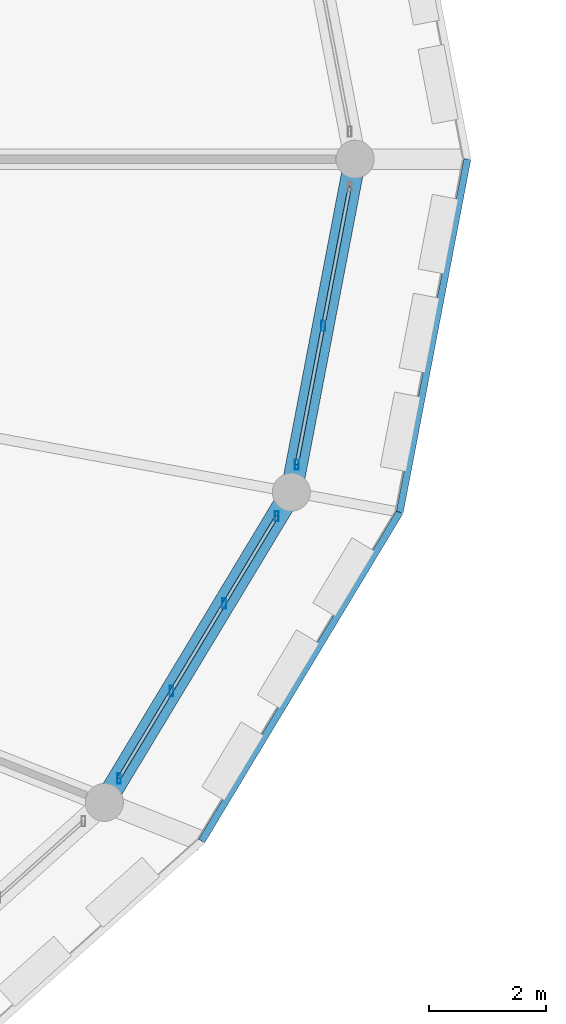
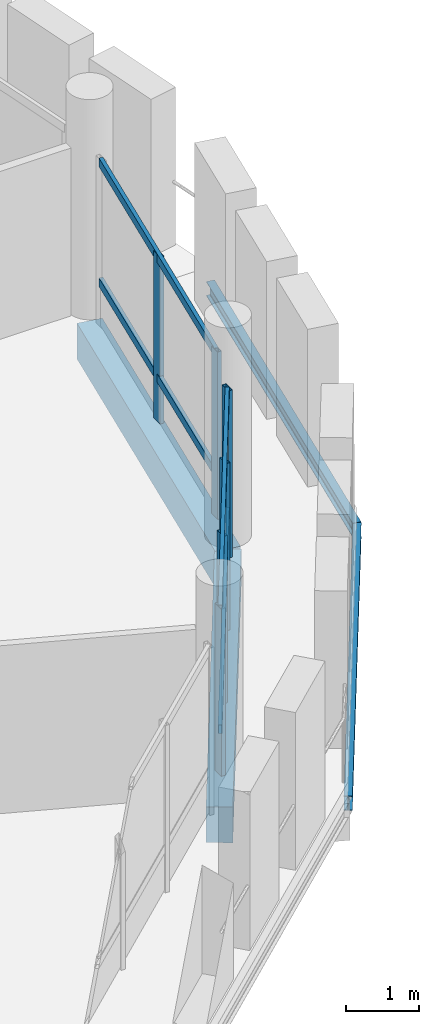
# One storey, part 36 of 84: 10 members, 4 beams, 2 elements without a shape of their own.
"""IFC4 building model written with IfcOpenShell, lengths in metres."""

from ifc_helpers import new_model, si_unit, direction, frame, origin, origin_2d, place, context, subcontext, project, spatial, rectangle, hollow_rectangle, i_section, extrude, material, material_profile, profile_set, type_object, element, aggregate, save


model = new_model("IFC4")

# Units and contexts
model_context = context("Model", 3, precision=1e-05, world=origin(), true_north=direction((0.0, 1.0)))
body_context = subcontext(model_context, "Body", "Model", "MODEL_VIEW")
ifc_project = project(units=[si_unit("LENGTHUNIT", "METRE"), si_unit("AREAUNIT", "SQUARE_METRE"), si_unit("VOLUMEUNIT", "CUBIC_METRE"), si_unit("PLANEANGLEUNIT", "RADIAN"), si_unit("MASSUNIT", "GRAM", prefix="KILO")], contexts=[model_context])

# Site, building, storey
site_placement = place(None, origin())
site = spatial("IfcSite", under=ifc_project, at=site_placement, CompositionType="ELEMENT")
building_placement = place(site_placement, origin())
building = spatial("IfcBuilding", under=site, at=building_placement, Name="Zornivar Specialist Clinic", CompositionType="ELEMENT")
storey_placement = place(building_placement, frame((0.0, 0.0, 12.300048828125)))
storey = spatial("IfcBuildingStorey", under=building, at=storey_placement, Name="L03", CompositionType="ELEMENT", Elevation=12.300048828125)

# Beams
ifc_material_1 = material(Name="Concrete C30/37", Category="concrete")
ifc_material_profile_1 = material_profile(ifc_material_1, rectangle(XDim=0.3701171875, YDim=0.60009765625, at=origin_2d()), Name="RC 370x600")
ifc_profile_set_1 = profile_set([ifc_material_profile_1], Name="Concrete C30/37")
beam_type_1 = type_object("IfcBeamType", Name="BM-RC-SPANDREL-370x600", PredefinedType="SPANDREL", material=ifc_profile_set_1)
beam_1_placement = place(storey_placement, frame((121.31298828125, 46.60009765625, -0.5400390625), z_axis=(0.516094506256, 0.856531646007, 0.0), x_axis=(-0.856531646007, 0.516094506256, 0.0)))
element("IfcBeam", 1, at=beam_1_placement, inside=storey, type_object=beam_type_1, Name="bm:V1:L03:outring:22", PredefinedType="SPANDREL", context=body_context, shape_type="SweptSolid", body=[
    extrude(rectangle(XDim=0.3701171875, YDim=0.60009765625, at=origin_2d()), origin(), (0.0, 0.0, 1.0), 6.194580078125),
])
beam_2_placement = place(storey_placement, frame((124.510009765625, 51.906005859375, -0.5400390625), z_axis=(0.188027327263, 0.982163797033, 0.0), x_axis=(-0.982163797033, 0.188027327263, 0.0)))
element("IfcBeam", 2, at=beam_2_placement, inside=storey, type_object=beam_type_1, Name="bm:V1:L03:outring:23", PredefinedType="SPANDREL", context=body_context, shape_type="SweptSolid", body=[
    extrude(rectangle(XDim=0.3701171875, YDim=0.60009765625, at=origin_2d()), origin(), (0.0, 0.0, 1.0), 5.797607421875),
])
ifc_material_2 = material(Name="Steel S355J2", Category="steel")
ifc_material_profile_2 = material_profile(ifc_material_2, i_section(OverallWidth=0.1201171875, OverallDepth=0.239990234375, WebThickness=0.006103515625, FlangeThickness=0.009765625, FilletRadius=0.014892578125, at=origin_2d()), Name="IPE 240")
ifc_profile_set_2 = profile_set([ifc_material_profile_2], Name="Steel S355J2")
beam_type_2 = type_object("IfcBeamType", Name="BM-STL-IPE240", PredefinedType="JOIST", material=ifc_profile_set_2)
beam_3_placement = place(storey_placement, frame((122.97607421875, 45.93994140625, -0.360107421875), z_axis=(0.516009675347, 0.856582754291, 0.0), x_axis=(-0.856582754291, 0.516009675347, 0.0)))
element("IfcBeam", 3, at=beam_3_placement, inside=storey, type_object=beam_type_2, Name="bm:V1:L03:balring:22", PredefinedType="JOIST", context=body_context, shape_type="SweptSolid", body=[
    extrude(i_section(OverallWidth=0.1201171875, OverallDepth=0.239990234375, WebThickness=0.006103515625, FlangeThickness=0.009765625, FilletRadius=0.014892578125, at=origin_2d()), origin(), (0.0, 0.0, 1.0), 6.565673828125),
])
beam_4_placement = place(storey_placement, frame((126.364013671875, 51.56396484375, -0.360107421875), z_axis=(0.188095914668, 0.982150664046, 0.0), x_axis=(-0.982150664046, 0.188095914668, 0.0)))
element("IfcBeam", 4, at=beam_4_placement, inside=storey, type_object=beam_type_2, Name="bm:V1:L03:balring:23", PredefinedType="JOIST", context=body_context, shape_type="SweptSolid", body=[
    extrude(i_section(OverallWidth=0.1201171875, OverallDepth=0.239990234375, WebThickness=0.006103515625, FlangeThickness=0.009765625, FilletRadius=0.014892578125, at=origin_2d()), origin(), (0.0, 0.0, 1.0), 6.145751953125),
])

# Curtain wall, members
ifc_material_3 = material(Name="Aluminium and Low-E Glass Curtain Wall", Category="aluminium")
curtain_wall_type = type_object("IfcCurtainWallType", Name="CW-DRUM-FACET", PredefinedType="NOTDEFINED", material=ifc_material_3)
curtain_wall_1_placement = place(storey_placement, origin())
curtain_wall_1 = element("IfcCurtainWall", 5, at=curtain_wall_1_placement, inside=storey, type_object=curtain_wall_type, Name="cw:V1:L03:c22", PredefinedType="NOTDEFINED")
ifc_material_4 = material(Name="Aluminium AW-6060", Category="aluminium")
ifc_material_profile_3 = material_profile(ifc_material_4, hollow_rectangle(XDim=0.06494140625, YDim=0.175048828125, WallThickness=0.00439453125, at=origin_2d()), Name="ALU 65x175x4.5")
ifc_profile_set_3 = profile_set([ifc_material_profile_3], Name="Aluminium AW-6060")
member_type_1 = type_object("IfcMemberType", Name="CWM-MUL-175", PredefinedType="MULLION", material=ifc_profile_set_3)
member_1_placement = place(storey_placement, frame((121.56103515625, 47.010986328125, 0.0), z_axis=(0.0, 0.0, 1.0), x_axis=(1.0, 0.0, 0.0)))
member_1 = element("IfcMember", 6, at=member_1_placement, type_object=member_type_1, Name="cw:V1:L03:c22:mul:0", PredefinedType="MULLION", context=body_context, shape_type="SweptSolid", body=[
    extrude(hollow_rectangle(XDim=0.06494140625, YDim=0.175048828125, WallThickness=0.00439453125, at=origin_2d()), origin(), (0.0, 0.0, 1.0), 2.81005859375),
])
member_2_placement = place(storey_placement, frame((122.4609375, 48.506103515625, 0.0), z_axis=(0.0, 0.0, 1.0), x_axis=(1.0, 0.0, 0.0)))
member_2 = element("IfcMember", 7, at=member_2_placement, type_object=member_type_1, Name="cw:V1:L03:c22:mul:1", PredefinedType="MULLION", context=body_context, shape_type="SweptSolid", body=[
    extrude(hollow_rectangle(XDim=0.06494140625, YDim=0.175048828125, WallThickness=0.00439453125, at=origin_2d()), origin(), (0.0, 0.0, 1.0), 2.81005859375),
])
member_3_placement = place(storey_placement, frame((123.362060546875, 50.0009765625, 0.0), z_axis=(0.0, 0.0, 1.0), x_axis=(1.0, 0.0, 0.0)))
member_3 = element("IfcMember", 8, at=member_3_placement, type_object=member_type_1, Name="cw:V1:L03:c22:mul:2", PredefinedType="MULLION", context=body_context, shape_type="SweptSolid", body=[
    extrude(hollow_rectangle(XDim=0.06494140625, YDim=0.175048828125, WallThickness=0.00439453125, at=origin_2d()), origin(), (0.0, 0.0, 1.0), 2.81005859375),
])
member_4_placement = place(storey_placement, frame((124.261962890625, 51.4951171875, 0.0), z_axis=(0.0, 0.0, 1.0), x_axis=(1.0, 0.0, 0.0)))
member_4 = element("IfcMember", 9, at=member_4_placement, type_object=member_type_1, Name="cw:V1:L03:c22:mul:3", PredefinedType="MULLION", context=body_context, shape_type="SweptSolid", body=[
    extrude(hollow_rectangle(XDim=0.06494140625, YDim=0.175048828125, WallThickness=0.00439453125, at=origin_2d()), origin(), (0.0, 0.0, 1.0), 2.81005859375),
])

curtain_wall_2_placement = place(storey_placement, origin())
curtain_wall_2 = element("IfcCurtainWall", 10, at=curtain_wall_2_placement, inside=storey, type_object=curtain_wall_type, Name="cw:V1:L03:c23", PredefinedType="NOTDEFINED")
member_5_placement = place(storey_placement, frame((124.60107421875, 52.376953125, 0.0), z_axis=(0.0, 0.0, 1.0), x_axis=(1.0, 0.0, 0.0)))
member_5 = element("IfcMember", 11, at=member_5_placement, type_object=member_type_1, Name="cw:V1:L03:c23:mul:0", PredefinedType="MULLION", context=body_context, shape_type="SweptSolid", body=[
    extrude(hollow_rectangle(XDim=0.06494140625, YDim=0.175048828125, WallThickness=0.00439453125, at=origin_2d()), origin(), (0.0, 0.0, 1.0), 2.81005859375),
])
member_6_placement = place(storey_placement, frame((125.054931640625, 54.7529296875, 0.0), z_axis=(0.0, 0.0, 1.0), x_axis=(1.0, 0.0, 0.0)))
member_6 = element("IfcMember", 12, at=member_6_placement, type_object=member_type_1, Name="cw:V1:L03:c23:mul:1", PredefinedType="MULLION", context=body_context, shape_type="SweptSolid", body=[
    extrude(hollow_rectangle(XDim=0.06494140625, YDim=0.175048828125, WallThickness=0.00439453125, at=origin_2d()), origin(), (0.0, 0.0, 1.0), 2.81005859375),
])

# Member
ifc_material_5 = material(Name="Aluminium AW-6060", Category="aluminium")
ifc_material_profile_4 = material_profile(ifc_material_5, hollow_rectangle(XDim=0.06005859375, YDim=0.14501953125, WallThickness=0.00390625, at=origin_2d()), Name="ALU 60x145x4")
ifc_profile_set_4 = profile_set([ifc_material_profile_4], Name="Aluminium AW-6060")
member_type_2 = type_object("IfcMemberType", Name="CWM-TRN-145", PredefinedType="USERDEFINED", material=ifc_profile_set_4)
member_7_placement = place(storey_placement, frame((121.56103515625, 47.010986328125, 0.73095703125), z_axis=(0.515962745671, 0.856611023207, 0.0), x_axis=(-0.856611023207, 0.515962745671, 0.0)))
member_7 = element("IfcMember", 13, at=member_7_placement, type_object=member_type_2, Name="cw:V1:L03:c22:trn:0", ObjectType="TRANSOM", PredefinedType="USERDEFINED", context=body_context, shape_type="SweptSolid", body=[
    extrude(hollow_rectangle(XDim=0.06005859375, YDim=0.14501953125, WallThickness=0.00390625, at=origin_2d()), origin(), (0.0, 0.0, 1.0), 5.234619140625),
])

member_8_placement = place(storey_placement, frame((121.56103515625, 47.010986328125, 2.744873046875), z_axis=(0.515962745671, 0.856611023207, 0.0), x_axis=(-0.856611023207, 0.515962745671, 0.0)))
member_8 = element("IfcMember", 14, at=member_8_placement, type_object=member_type_2, Name="cw:V1:L03:c22:trn:1", ObjectType="TRANSOM", PredefinedType="USERDEFINED", context=body_context, shape_type="SweptSolid", body=[
    extrude(hollow_rectangle(XDim=0.06005859375, YDim=0.14501953125, WallThickness=0.00390625, at=origin_2d()), origin(), (0.0, 0.0, 1.0), 5.234619140625),
])

aggregate(curtain_wall_1, [member_1, member_2, member_3, member_4, member_7, member_8])

member_9_placement = place(storey_placement, frame((124.60107421875, 52.376953125, 0.73095703125), z_axis=(0.18767557324, 0.982231072207, 0.0), x_axis=(-0.982231072207, 0.18767557324, 0.0)))
member_9 = element("IfcMember", 15, at=member_9_placement, type_object=member_type_2, Name="cw:V1:L03:c23:trn:0", ObjectType="TRANSOM", PredefinedType="USERDEFINED", context=body_context, shape_type="SweptSolid", body=[
    extrude(hollow_rectangle(XDim=0.06005859375, YDim=0.14501953125, WallThickness=0.00390625, at=origin_2d()), origin(), (0.0, 0.0, 1.0), 4.837890625),
])

member_10_placement = place(storey_placement, frame((124.60107421875, 52.376953125, 2.744873046875), z_axis=(0.18767557324, 0.982231072207, 0.0), x_axis=(-0.982231072207, 0.18767557324, 0.0)))
member_10 = element("IfcMember", 16, at=member_10_placement, type_object=member_type_2, Name="cw:V1:L03:c23:trn:1", ObjectType="TRANSOM", PredefinedType="USERDEFINED", context=body_context, shape_type="SweptSolid", body=[
    extrude(hollow_rectangle(XDim=0.06005859375, YDim=0.14501953125, WallThickness=0.00390625, at=origin_2d()), origin(), (0.0, 0.0, 1.0), 4.837890625),
])

aggregate(curtain_wall_2, [member_5, member_6, member_9, member_10])

save(model, "model.ifc")
